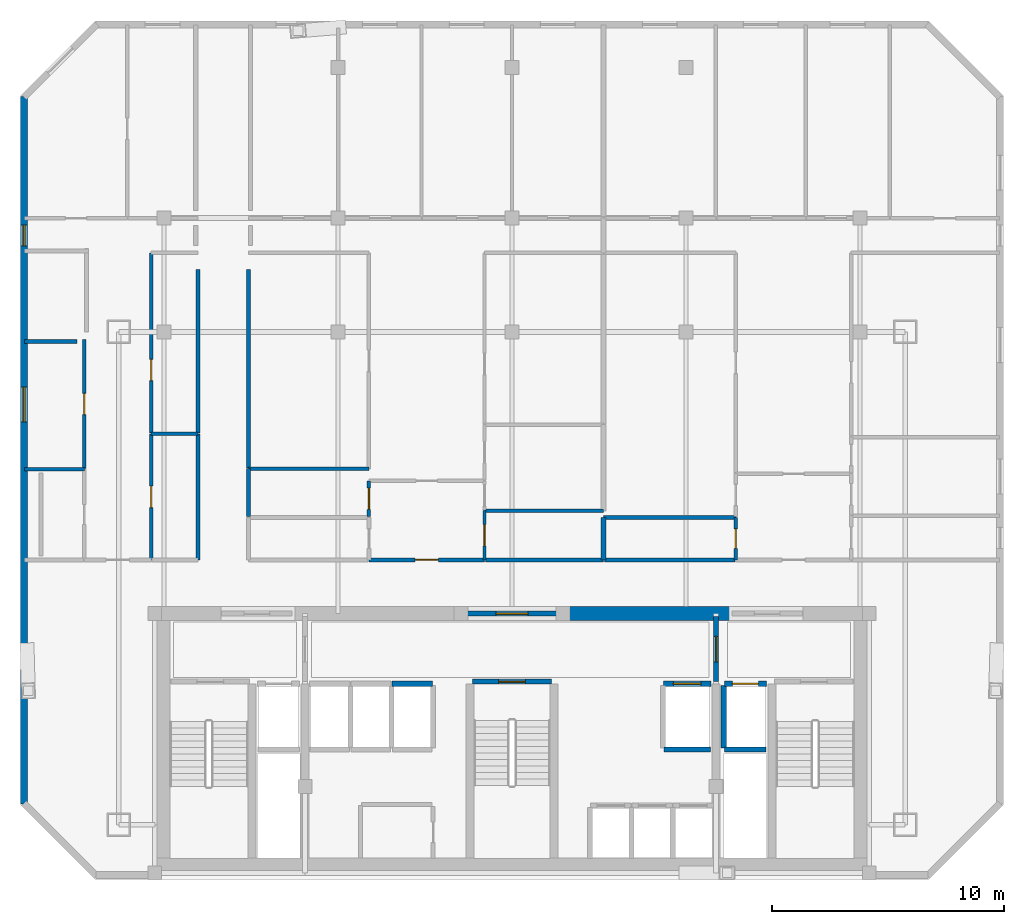
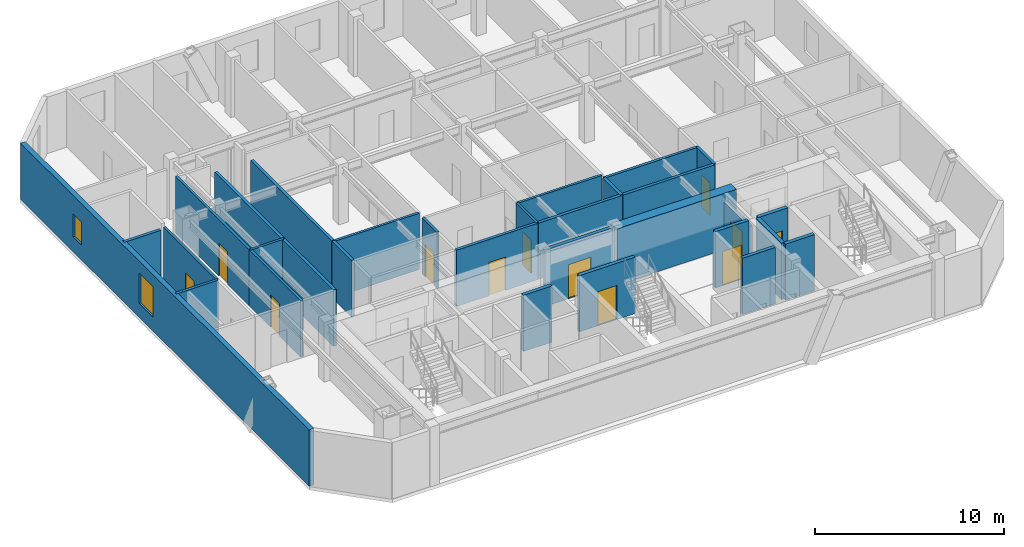
# One storey, part 3 of 7: 31 walls, 12 doors, 2 windows, 14 openings.
"""IFC4 building model written with IfcOpenShell, lengths in metres."""

from ifc_helpers import new_model, si_unit, direction, frame, frame_2d, origin, place, context, subcontext, project, spatial, rectangle, extrude, material, layer, layer_set, type_object, element, fill, save


model = new_model("IFC4")

# Units and contexts
model_context = context("Model", 3, precision=1e-05, world=origin(), true_north=direction((0.0, 1.0)))
body_context = subcontext(model_context, "Body", "Model", "MODEL_VIEW")
ifc_project = project(units=[si_unit("LENGTHUNIT", "METRE"), si_unit("AREAUNIT", "SQUARE_METRE"), si_unit("VOLUMEUNIT", "CUBIC_METRE"), si_unit("PLANEANGLEUNIT", "RADIAN"), si_unit("MASSUNIT", "GRAM", prefix="KILO")], contexts=[model_context])

# Site, building, storey
site_placement = place(None, origin())
site = spatial("IfcSite", under=ifc_project, at=site_placement, CompositionType="ELEMENT")
building_placement = place(site_placement, origin())
building = spatial("IfcBuilding", under=site, at=building_placement, Name="Ventersveld Concourse Tower", CompositionType="ELEMENT")
storey_placement = place(building_placement, frame((0.0, 0.0, 234.949951171875)))
storey = spatial("IfcBuildingStorey", under=building, at=storey_placement, Name="L58", CompositionType="ELEMENT", Elevation=234.949951171875)

# Walls
ifc_material_1 = material(Name="Concrete C50/60", Category="concrete")
ifc_layer_1 = layer(ifc_material_1, 0.60009765625)
ifc_layer_set_1 = layer_set([ifc_layer_1], Name="Concrete C50/60")
wall_type_1 = type_object("IfcWallType", Name="WL-CORE-600", PredefinedType="SHEAR", material=ifc_layer_set_1)
wall_1_placement = place(storey_placement, frame((30.89990234375, 11.449951171875, 0.0), z_axis=(0.0, 0.0, 1.0), x_axis=(1.0, 0.0, 0.0)))
element("IfcWall", 1, at=wall_1_placement, inside=storey, type_object=wall_type_1, Name="L58 Rear Core North Shear Wall NMR", PredefinedType="SHEAR", context=body_context, shape_type="SweptSolid", body=[
    extrude(rectangle(XDim=7.300048828125, YDim=0.60009765625, at=frame_2d((3.64990234375, 0.0))), origin(), (0.0, 0.0, 1.0), 3.630126953125),
])
ifc_material_2 = material(Name="Fire-rated autoclaved aerated masonry blockwork", Category="masonry")
ifc_layer_2 = layer(ifc_material_2, 0.179931640625)
ifc_layer_set_2 = layer_set([ifc_layer_2], Name="Fire-rated autoclaved aerated masonry blockwork")
wall_type_2 = type_object("IfcWallType", Name="WL-CORR-180", PredefinedType="PARTITIONING", material=ifc_layer_set_2)
wall_2_placement = place(storey_placement, frame((15.2099609375, 13.764892578125, 0.0), z_axis=(0.0, 0.0, 1.0), x_axis=(0.0, 1.0, 0.0)))
element("IfcWall", 2, at=wall_2_placement, inside=storey, type_object=wall_type_2, Name="L58 Interior Partition SP-L58-COR-SP-L58-58NW-KIT", PredefinedType="PARTITIONING", context=body_context, shape_type="SweptSolid", body=[
    extrude(rectangle(XDim=5.44091796875, YDim=0.179931640625, at=frame_2d((2.720458984375, 0.0))), origin(), (0.0, 0.0, 1.0), 3.630126953125),
])
wall_3_placement = place(storey_placement, frame((15.2099609375, 19.23583984375, 0.0), z_axis=(0.0, 0.0, 1.0), x_axis=(0.0, 1.0, 0.0)))
element("IfcWall", 3, at=wall_3_placement, inside=storey, type_object=wall_type_2, Name="L58 Interior Partition SP-L58-COR-SP-L58-58NW-MEDR1", PredefinedType="PARTITIONING", context=body_context, shape_type="SweptSolid", body=[
    extrude(rectangle(XDim=7.05908203125, YDim=0.179931640625, at=frame_2d((3.529541015625, 0.0))), origin(), (0.0, 0.0, 1.0), 3.630126953125),
])

# Wall, opening, door
wall_4_placement = place(storey_placement, frame((22.5791015625, 13.77001953125, 0.0), z_axis=(0.0, 0.0, 1.0), x_axis=(1.0, 0.0, 0.0)))
wall_4 = element("IfcWall", 4, at=wall_4_placement, inside=storey, type_object=wall_type_2, Name="L58 Interior Partition SP-L58-COR-SP-L58-58N1-FOY", PredefinedType="PARTITIONING", context=body_context, shape_type="SweptSolid", body=[
    extrude(rectangle(XDim=4.989990234375, YDim=0.179931640625, at=frame_2d((2.4951171875, 0.0))), origin(), (0.0, 0.0, 1.0), 3.630126953125),
])
opening_1_placement = place(wall_4_placement, frame((1.9951171875, 0.0, 0.0)))
opening_1 = element("IfcOpeningElement", 5, at=opening_1_placement, cuts=wall_4, Name="Opening FD3", PredefinedType="OPENING", context=body_context, shape_type="SweptSolid", body=[
    extrude(rectangle(XDim=1.0, YDim=2.14990234375, at=frame_2d((0.5, 1.074951171875))), frame((0.0, 0.10009765625, 0.0), z_axis=(0.0, -1.0, 0.0), x_axis=(1.0, 0.0, 0.0)), (0.0, 0.0, 1.0), 0.199951171875),
])
ifc_material_3 = material(Name="Solid-core hardwood veneer timber", Category="wood")
door_type_1 = type_object("IfcDoorType", Name="DR-FLAT-100", OperationType="NOTDEFINED", PredefinedType="DOOR", material=ifc_material_3)
door_1_placement = place(opening_1_placement, origin())
door_1 = element("IfcDoor", 6, at=door_1_placement, inside=storey, type_object=door_type_1, Name="L58 Interior Door SP-L58-COR to SP-L58-58N1-FOY (FD-L58-2786)", OperationType="SINGLE_SWING_RIGHT", OverallHeight=2.14990234375, OverallWidth=1.0, PredefinedType="DOOR", context=body_context, shape_type="SweptSolid", body=[
    extrude(rectangle(XDim=1.0, YDim=2.14990234375, at=frame_2d((0.5, 1.074951171875))), frame((0.0, 0.02490234375, 0.0), z_axis=(0.0, -1.0, 0.0), x_axis=(1.0, 0.0, 0.0)), (0.0, 0.0, 1.0), 0.050048828125),
])
fill(opening_1, door_1)

# Walls
wall_5_placement = place(storey_placement, frame((17.389892578125, 15.635009765625, 0.0), z_axis=(0.0, 0.0, 1.0), x_axis=(0.0, 1.0, 0.0)))
element("IfcWall", 7, at=wall_5_placement, inside=storey, type_object=wall_type_2, Name="L58 Interior Partition SP-L58-COR-SP-L58-58N1-PANL0", PredefinedType="PARTITIONING", context=body_context, shape_type="SweptSolid", body=[
    extrude(rectangle(XDim=2.064697265625, YDim=0.179931640625, at=frame_2d((1.0322265625, 0.0))), origin(), (0.0, 0.0, 1.0), 3.630126953125),
])
wall_6_placement = place(storey_placement, frame((17.389892578125, 17.7294921875, 0.0), z_axis=(0.0, 0.0, 1.0), x_axis=(0.0, 1.0, 0.0)))
element("IfcWall", 8, at=wall_6_placement, inside=storey, type_object=wall_type_2, Name="L58 Interior Partition SP-L58-COR-SP-L58-58N1-DENL", PredefinedType="PARTITIONING", context=body_context, shape_type="SweptSolid", body=[
    extrude(rectangle(XDim=8.5654296875, YDim=0.179931640625, at=frame_2d((4.28271484375, 0.0))), origin(), (0.0, 0.0, 1.0), 3.630126953125),
])
wall_7_placement = place(storey_placement, frame((27.59912109375, 13.77001953125, 0.0), z_axis=(0.0, 0.0, 1.0), x_axis=(1.0, 0.0, 0.0)))
element("IfcWall", 9, at=wall_7_placement, inside=storey, type_object=wall_type_2, Name="L58 Interior Partition SP-L58-COR-SP-L58-58N1-KIT", PredefinedType="PARTITIONING", context=body_context, shape_type="SweptSolid", body=[
    extrude(rectangle(XDim=5.10107421875, YDim=0.179931640625, at=frame_2d((2.550537109375, 0.0))), origin(), (0.0, 0.0, 1.0), 3.630126953125),
])
wall_8_placement = place(storey_placement, frame((32.730224609375, 13.77001953125, 0.0), z_axis=(0.0, 0.0, 1.0), x_axis=(1.0, 0.0, 0.0)))
element("IfcWall", 10, at=wall_8_placement, inside=storey, type_object=wall_type_2, Name="L58 Interior Partition SP-L58-COR-SP-L58-58N2-BATH", PredefinedType="PARTITIONING", context=body_context, shape_type="SweptSolid", body=[
    extrude(rectangle(XDim=5.6279296875, YDim=0.179931640625, at=frame_2d((2.81396484375, 0.0))), origin(), (0.0, 0.0, 1.0), 3.630126953125),
])
wall_9_placement = place(storey_placement, frame((7.74365234375, 23.177490234375, 0.0), z_axis=(0.0, 0.0, 1.0), x_axis=(1.0, 0.0, 0.0)))
element("IfcWall", 11, at=wall_9_placement, inside=storey, type_object=wall_type_2, Name="L58 Room Enclosure Wall SP-L58-58NW-PANL0", PredefinedType="PARTITIONING", context=body_context, shape_type="SweptSolid", body=[
    extrude(rectangle(XDim=2.245361328125, YDim=0.179931640625, at=frame_2d((1.12255859375, 0.0))), origin(), (0.0, 0.0, 1.0), 3.630126953125),
])
ifc_layer_3 = layer(ifc_material_2, 0.199951171875)
ifc_layer_set_3 = layer_set([ifc_layer_3], Name="Fire-rated autoclaved aerated masonry blockwork")
wall_type_3 = type_object("IfcWallType", Name="WL-DEMISE-200", PredefinedType="PARTITIONING", material=ifc_layer_set_3)
wall_10_placement = place(storey_placement, frame((32.6953125, 13.764892578125, 0.0), z_axis=(0.0, 0.0, 1.0), x_axis=(0.0, 1.0, 0.0)))
element("IfcWall", 12, at=wall_10_placement, inside=storey, type_object=wall_type_3, Name="L58 Interior Partition SP-L58-58N1-KIT-SP-L58-58N2-BATH", PredefinedType="PARTITIONING", context=body_context, shape_type="SweptSolid", body=[
    extrude(rectangle(XDim=1.840087890625, YDim=0.199951171875, at=frame_2d((0.919921875, 0.0))), origin(), (0.0, 0.0, 1.0), 3.630126953125),
])
ifc_layer_4 = layer(ifc_material_2, 0.219970703125)
ifc_layer_set_4 = layer_set([ifc_layer_4], Name="Fire-rated autoclaved aerated masonry blockwork")
wall_type_4 = type_object("IfcWallType", Name="WL-HOIST-220", PredefinedType="SOLIDWALL", material=ifc_layer_set_4)
wall_11_placement = place(storey_placement, frame((37.919921875, 5.590087890625, 0.0), z_axis=(0.0, 0.0, 1.0), x_axis=(1.0, 0.0, 0.0)))
element("IfcWall", 13, at=wall_11_placement, inside=storey, type_object=wall_type_4, Name="L58 Lift Hoistway Back Wall FFL-02", PredefinedType="SOLIDWALL", context=body_context, shape_type="SweptSolid", body=[
    extrude(rectangle(XDim=1.780029296875, YDim=0.219970703125, at=frame_2d((0.89013671875, 0.0))), origin(), (0.0, 0.0, 1.0), 3.630126953125),
])
wall_12_placement = place(storey_placement, frame((37.8798828125, 5.64990234375, 0.0), z_axis=(0.0, 0.0, 1.0), x_axis=(0.0, 1.0, 0.0)))
element("IfcWall", 14, at=wall_12_placement, inside=storey, type_object=wall_type_4, Name="L58 Lift Hoistway Side Wall FFL-02W", PredefinedType="SOLIDWALL", context=body_context, shape_type="SweptSolid", body=[
    extrude(rectangle(XDim=2.7001953125, YDim=0.219970703125, at=frame_2d((1.35009765625, 0.0))), origin(), (0.0, 0.0, 1.0), 3.630126953125),
])

# Wall, opening, door
wall_13_placement = place(storey_placement, frame((37.89990234375, 8.429931640625, 0.0), z_axis=(0.0, 0.0, 1.0), x_axis=(1.0, 0.0, 0.0)))
wall_13 = element("IfcWall", 15, at=wall_13_placement, inside=storey, type_object=wall_type_4, Name="L58 Lift Hoistway Front Wall FFL-02", PredefinedType="SOLIDWALL", context=body_context, shape_type="SweptSolid", body=[
    extrude(rectangle(XDim=1.820068359375, YDim=0.219970703125, at=frame_2d((0.91015625, 0.0))), origin(), (0.0, 0.0, 1.0), 3.630126953125),
])
opening_2_placement = place(wall_13_placement, frame((0.35009765625, 0.0, 0.0)))
opening_2 = element("IfcOpeningElement", 16, at=opening_2_placement, cuts=wall_13, Name="Opening LD1", PredefinedType="OPENING", context=body_context, shape_type="SweptSolid", body=[
    extrude(rectangle(XDim=1.1201171875, YDim=2.25, at=frame_2d((0.56005859375, 1.125))), frame((0.0, 0.1201171875, 0.0), z_axis=(0.0, -1.0, 0.0), x_axis=(1.0, 0.0, 0.0)), (0.0, 0.0, 1.0), 0.239990234375),
])
ifc_material_4 = material(Name="Brushed stainless steel 316", Category="steel")
door_type_2 = type_object("IfcDoorType", Name="LD-FF-112", OperationType="SLIDING_TO_LEFT", PredefinedType="DOOR", material=ifc_material_4)
door_2_placement = place(opening_2_placement, origin())
door_2 = element("IfcDoor", 17, at=door_2_placement, inside=storey, type_object=door_type_2, Name="L58 Lift landing door FFL-02 (LD-L58-FFL-02)", OperationType="SLIDING_TO_RIGHT", OverallHeight=2.25, OverallWidth=1.1201171875, PredefinedType="DOOR", context=body_context, shape_type="SweptSolid", body=[
    extrude(rectangle(XDim=1.1201171875, YDim=2.25, at=frame_2d((0.56005859375, 1.125))), frame((0.0, 0.02490234375, 0.0), z_axis=(0.0, -1.0, 0.0), x_axis=(1.0, 0.0, 0.0)), (0.0, 0.0, 1.0), 0.050048828125),
])
fill(opening_2, door_2)

# Wall
wall_14_placement = place(storey_placement, frame((35.300048828125, 5.590087890625, 0.0), z_axis=(0.0, 0.0, 1.0), x_axis=(1.0, 0.0, 0.0)))
element("IfcWall", 18, at=wall_14_placement, inside=storey, type_object=wall_type_4, Name="L58 Lift Hoistway Back Wall SVL-01", PredefinedType="SOLIDWALL", context=body_context, shape_type="SweptSolid", body=[
    extrude(rectangle(XDim=2.0, YDim=0.219970703125, at=frame_2d((1.0, 0.0))), origin(), (0.0, 0.0, 1.0), 3.630126953125),
])

# Wall, opening, door
wall_15_placement = place(storey_placement, frame((35.280029296875, 8.429931640625, 0.0), z_axis=(0.0, 0.0, 1.0), x_axis=(1.0, 0.0, 0.0)))
wall_15 = element("IfcWall", 19, at=wall_15_placement, inside=storey, type_object=wall_type_4, Name="L58 Lift Hoistway Front Wall SVL-01", PredefinedType="SOLIDWALL", context=body_context, shape_type="SweptSolid", body=[
    extrude(rectangle(XDim=2.0400390625, YDim=0.219970703125, at=frame_2d((1.02001953125, 0.0))), origin(), (0.0, 0.0, 1.0), 3.630126953125),
])
opening_3_placement = place(wall_15_placement, frame((0.429931640625, 0.0, 0.0)))
opening_3 = element("IfcOpeningElement", 20, at=opening_3_placement, cuts=wall_15, Name="Opening LD2", PredefinedType="OPENING", context=body_context, shape_type="SweptSolid", body=[
    extrude(rectangle(XDim=1.179931640625, YDim=2.199951171875, at=frame_2d((0.58984375, 1.10009765625))), frame((0.0, 0.1201171875, 0.0), z_axis=(0.0, -1.0, 0.0), x_axis=(1.0, 0.0, 0.0)), (0.0, 0.0, 1.0), 0.239990234375),
])
door_type_3 = type_object("IfcDoorType", Name="LD-PAX-118", OperationType="SLIDING_TO_LEFT", PredefinedType="DOOR", material=ifc_material_4)
door_3_placement = place(opening_3_placement, origin())
door_3 = element("IfcDoor", 21, at=door_3_placement, inside=storey, type_object=door_type_3, Name="L58 Lift landing door SVL-01 (LD-L58-SVL-01)", OperationType="SLIDING_TO_LEFT", OverallHeight=2.199951171875, OverallWidth=1.179931640625, PredefinedType="DOOR", context=body_context, shape_type="SweptSolid", body=[
    extrude(rectangle(XDim=1.179931640625, YDim=2.199951171875, at=frame_2d((0.58984375, 1.10009765625))), frame((0.0, 0.02490234375, 0.0), z_axis=(0.0, -1.0, 0.0), x_axis=(1.0, 0.0, 0.0)), (0.0, 0.0, 1.0), 0.050048828125),
])
fill(opening_3, door_3)

# Wall
wall_16_placement = place(storey_placement, frame((23.580078125, 8.429931640625, 0.0), z_axis=(0.0, 0.0, 1.0), x_axis=(1.0, 0.0, 0.0)))
element("IfcWall", 22, at=wall_16_placement, inside=storey, type_object=wall_type_4, Name="L58 Lift Hoistway Front Wall PH-03", PredefinedType="SOLIDWALL", context=body_context, shape_type="SweptSolid", body=[
    extrude(rectangle(XDim=1.739990234375, YDim=0.219970703125, at=frame_2d((0.8701171875, 0.0))), origin(), (0.0, 0.0, 1.0), 3.630126953125),
])

# Wall, opening, door
wall_17_placement = place(storey_placement, frame((27.0400390625, 8.52001953125, 0.0), z_axis=(0.0, 0.0, 1.0), x_axis=(1.0, 0.0, 0.0)))
wall_17 = element("IfcWall", 23, at=wall_17_placement, inside=storey, type_object=wall_type_4, Name="L58 Escape Stair ST03 Fire Wall", PredefinedType="SOLIDWALL", context=body_context, shape_type="SweptSolid", body=[
    extrude(rectangle(XDim=3.419921875, YDim=0.219970703125, at=frame_2d((1.7099609375, 0.0))), origin(), (0.0, 0.0, 1.0), 3.630126953125),
])
opening_4_placement = place(wall_17_placement, frame((1.135009765625, 0.0, 0.0)))
opening_4 = element("IfcOpeningElement", 24, at=opening_4_placement, cuts=wall_17, Name="Opening FD1", PredefinedType="OPENING", context=body_context, shape_type="SweptSolid", body=[
    extrude(rectangle(XDim=1.14990234375, YDim=2.199951171875, at=frame_2d((0.574951171875, 1.10009765625))), frame((0.0, 0.1201171875, 0.0), z_axis=(0.0, -1.0, 0.0), x_axis=(1.0, 0.0, 0.0)), (0.0, 0.0, 1.0), 0.239990234375),
])
ifc_material_5 = material(Name="Galvanised painted steel", Category="steel")
door_type_4 = type_object("IfcDoorType", Name="DR-STAIR-115", OperationType="NOTDEFINED", PredefinedType="DOOR", material=ifc_material_5)
door_4_placement = place(opening_4_placement, origin())
door_4 = element("IfcDoor", 25, at=door_4_placement, inside=storey, type_object=door_type_4, Name="L58 Escape Stair Door ST03 (SD-L58-2778)", OperationType="SINGLE_SWING_LEFT", OverallHeight=2.199951171875, OverallWidth=1.14990234375, PredefinedType="DOOR", context=body_context, shape_type="SweptSolid", body=[
    extrude(rectangle(XDim=1.14990234375, YDim=2.199951171875, at=frame_2d((0.574951171875, 1.10009765625))), frame((0.0, 0.02490234375, 0.0), z_axis=(0.0, -1.0, 0.0), x_axis=(1.0, 0.0, 0.0)), (0.0, 0.0, 1.0), 0.050048828125),
])
fill(opening_4, door_4)

wall_18_placement = place(storey_placement, frame((37.550048828125, 8.52001953125, 0.0), z_axis=(0.0, 0.0, 1.0), x_axis=(0.0, 1.0, 0.0)))
wall_18 = element("IfcWall", 26, at=wall_18_placement, inside=storey, type_object=wall_type_4, Name="L58 Firefighting Lobby Smoke-Stop Wall FFLE-SEP", PredefinedType="SOLIDWALL", context=body_context, shape_type="SweptSolid", body=[
    extrude(rectangle(XDim=2.800048828125, YDim=0.219970703125, at=frame_2d((1.39990234375, 0.0))), origin(), (0.0, 0.0, 1.0), 3.08544921875),
])
opening_5_placement = place(wall_18_placement, frame((0.85009765625, 0.0, 0.0)))
opening_5 = element("IfcOpeningElement", 27, at=opening_5_placement, cuts=wall_18, Name="Opening FD2", PredefinedType="OPENING", context=body_context, shape_type="SweptSolid", body=[
    extrude(rectangle(XDim=1.10009765625, YDim=2.199951171875, at=frame_2d((0.550048828125, 1.10009765625))), frame((0.0, 0.1201171875, 0.0), z_axis=(0.0, -1.0, 0.0), x_axis=(1.0, 0.0, 0.0)), (0.0, 0.0, 1.0), 0.239990234375),
])
door_type_5 = type_object("IfcDoorType", Name="DR-FFL-110", OperationType="NOTDEFINED", PredefinedType="DOOR", material=ifc_material_5)
door_5_placement = place(opening_5_placement, origin())
door_5 = element("IfcDoor", 28, at=door_5_placement, inside=storey, type_object=door_type_5, Name="L58 Firefighting Lobby Door FFLE-SEP (FD-L58-2780)", OperationType="SINGLE_SWING_RIGHT", OverallHeight=2.199951171875, OverallWidth=1.10009765625, PredefinedType="DOOR", context=body_context, shape_type="SweptSolid", body=[
    extrude(rectangle(XDim=1.10009765625, YDim=2.199951171875, at=frame_2d((0.550048828125, 1.10009765625))), frame((0.0, 0.02490234375, 0.0), z_axis=(0.0, -1.0, 0.0), x_axis=(1.0, 0.0, 0.0)), (0.0, 0.0, 1.0), 0.050048828125),
])
fill(opening_5, door_5)

wall_19_placement = place(storey_placement, frame((26.6298828125, 11.449951171875, 0.0), z_axis=(0.0, 0.0, 1.0), x_axis=(1.0, 0.0, 0.0)))
wall_19 = element("IfcWall", 29, at=wall_19_placement, inside=storey, type_object=wall_type_4, Name="L58 Core North Fire Portal PLOB-OUT", PredefinedType="SOLIDWALL", context=body_context, shape_type="SweptSolid", body=[
    extrude(rectangle(XDim=4.240234375, YDim=0.219970703125, at=frame_2d((2.1201171875, 0.0))), origin(), (0.0, 0.0, 1.0), 3.630126953125),
])
opening_6_placement = place(wall_19_placement, frame((1.419921875, 0.0, 0.0)))
opening_6 = element("IfcOpeningElement", 30, at=opening_6_placement, cuts=wall_19, Name="Opening FD4", PredefinedType="OPENING", context=body_context, shape_type="SweptSolid", body=[
    extrude(rectangle(XDim=1.39990234375, YDim=2.199951171875, at=frame_2d((0.699951171875, 1.10009765625))), frame((0.0, 0.1201171875, 0.0), z_axis=(0.0, -1.0, 0.0), x_axis=(1.0, 0.0, 0.0)), (0.0, 0.0, 1.0), 0.239990234375),
])
door_type_6 = type_object("IfcDoorType", Name="DR-PLANT-140", OperationType="DOUBLE_DOOR_SINGLE_SWING", PredefinedType="DOOR", material=ifc_material_5)
door_6_placement = place(opening_6_placement, origin())
door_6 = element("IfcDoor", 31, at=door_6_placement, inside=storey, type_object=door_type_6, Name="L58 Core Lobby Fire Door PLOB-OUT (FD-L58-2782)", OperationType="DOUBLE_DOOR_SINGLE_SWING", OverallHeight=2.199951171875, OverallWidth=1.39990234375, PredefinedType="DOOR", context=body_context, shape_type="SweptSolid", body=[
    extrude(rectangle(XDim=1.39990234375, YDim=2.199951171875, at=frame_2d((0.699951171875, 1.10009765625))), frame((0.0, 0.02490234375, 0.0), z_axis=(0.0, -1.0, 0.0), x_axis=(1.0, 0.0, 0.0)), (0.0, 0.0, 1.0), 0.050048828125),
])
fill(opening_6, door_6)

ifc_material_6 = material(Name="Autoclaved aerated masonry blockwork", Category="masonry")
ifc_layer_5 = layer(ifc_material_6, 0.14990234375)
ifc_layer_set_5 = layer_set([ifc_layer_5], Name="Autoclaved aerated masonry blockwork")
wall_type_5 = type_object("IfcWallType", Name="WL-INT-150", PredefinedType="PARTITIONING", material=ifc_layer_set_5)
wall_20_placement = place(storey_placement, frame((10.31396484375, 17.707763671875, 0.0), z_axis=(0.0, 0.0, 1.0), x_axis=(0.0, 1.0, 0.0)))
wall_20 = element("IfcWall", 32, at=wall_20_placement, inside=storey, type_object=wall_type_5, Name="L58 Interior Partition SP-L58-58NW-LIV-SP-L58-58NW-PANL0", PredefinedType="PARTITIONING", context=body_context, shape_type="SweptSolid", body=[
    extrude(rectangle(XDim=5.56494140625, YDim=0.14990234375, at=frame_2d((2.782470703125, 0.0))), origin(), (0.0, 0.0, 1.0), 3.630126953125),
])
opening_7_placement = place(wall_20_placement, frame((2.322509765625, 0.0, 0.0)))
opening_7 = element("IfcOpeningElement", 33, at=opening_7_placement, cuts=wall_20, Name="Opening ID1", PredefinedType="OPENING", context=body_context, shape_type="SweptSolid", body=[
    extrude(rectangle(XDim=0.919921875, YDim=2.10009765625, at=frame_2d((0.4599609375, 1.050048828125))), frame((0.0, 0.0849609375, 0.0), z_axis=(0.0, -1.0, 0.0), x_axis=(1.0, 0.0, 0.0)), (0.0, 0.0, 1.0), 0.169921875),
])
door_type_7 = type_object("IfcDoorType", Name="DR-ROOM-092", OperationType="NOTDEFINED", PredefinedType="DOOR", material=ifc_material_3)
door_7_placement = place(opening_7_placement, origin())
door_7 = element("IfcDoor", 34, at=door_7_placement, inside=storey, type_object=door_type_7, Name="L58 Interior Door SP-L58-58NW-LIV to SP-L58-58NW-PANL0 (D-L58-2789)", OperationType="SINGLE_SWING_LEFT", OverallHeight=2.10009765625, OverallWidth=0.919921875, PredefinedType="DOOR", context=body_context, shape_type="SweptSolid", body=[
    extrude(rectangle(XDim=0.919921875, YDim=2.10009765625, at=frame_2d((0.4599609375, 1.050048828125))), frame((0.0, 0.02490234375, 0.0), z_axis=(0.0, -1.0, 0.0), x_axis=(1.0, 0.0, 0.0)), (0.0, 0.0, 1.0), 0.050048828125),
])
fill(opening_7, door_7)

wall_21_placement = place(storey_placement, frame((13.20166015625, 13.764892578125, 0.0), z_axis=(0.0, 0.0, 1.0), x_axis=(0.0, 1.0, 0.0)))
wall_21 = element("IfcWall", 35, at=wall_21_placement, inside=storey, type_object=wall_type_5, Name="L58 Interior Partition SP-L58-58NW-LIV-SP-L58-58NW-KIT", PredefinedType="PARTITIONING", context=body_context, shape_type="SweptSolid", body=[
    extrude(rectangle(XDim=5.44091796875, YDim=0.14990234375, at=frame_2d((2.720458984375, 0.0))), origin(), (0.0, 0.0, 1.0), 3.630126953125),
])
opening_8_placement = place(wall_21_placement, frame((2.260498046875, 0.0, 0.0)))
opening_8 = element("IfcOpeningElement", 36, at=opening_8_placement, cuts=wall_21, Name="Opening ID1", PredefinedType="OPENING", context=body_context, shape_type="SweptSolid", body=[
    extrude(rectangle(XDim=0.919921875, YDim=2.10009765625, at=frame_2d((0.4599609375, 1.050048828125))), frame((0.0, 0.0849609375, 0.0), z_axis=(0.0, -1.0, 0.0), x_axis=(1.0, 0.0, 0.0)), (0.0, 0.0, 1.0), 0.169921875),
])
door_8_placement = place(opening_8_placement, origin())
door_8 = element("IfcDoor", 37, at=door_8_placement, inside=storey, type_object=door_type_7, Name="L58 Interior Door SP-L58-58NW-LIV to SP-L58-58NW-KIT (D-L58-2790)", OperationType="SINGLE_SWING_RIGHT", OverallHeight=2.10009765625, OverallWidth=0.919921875, PredefinedType="DOOR", context=body_context, shape_type="SweptSolid", body=[
    extrude(rectangle(XDim=0.919921875, YDim=2.10009765625, at=frame_2d((0.4599609375, 1.050048828125))), frame((0.0, 0.02490234375, 0.0), z_axis=(0.0, -1.0, 0.0), x_axis=(1.0, 0.0, 0.0)), (0.0, 0.0, 1.0), 0.050048828125),
])
fill(opening_8, door_8)

wall_22_placement = place(storey_placement, frame((13.20166015625, 19.23583984375, 0.0), z_axis=(0.0, 0.0, 1.0), x_axis=(0.0, 1.0, 0.0)))
wall_22 = element("IfcWall", 38, at=wall_22_placement, inside=storey, type_object=wall_type_5, Name="L58 Interior Partition SP-L58-58NW-LIV-SP-L58-58NW-MEDR1", PredefinedType="PARTITIONING", context=body_context, shape_type="SweptSolid", body=[
    extrude(rectangle(XDim=7.76904296875, YDim=0.14990234375, at=frame_2d((3.884521484375, 0.0))), origin(), (0.0, 0.0, 1.0), 3.630126953125),
])
opening_9_placement = place(wall_22_placement, frame((2.25927734375, 0.0, 0.0)))
opening_9 = element("IfcOpeningElement", 39, at=opening_9_placement, cuts=wall_22, Name="Opening ID1", PredefinedType="OPENING", context=body_context, shape_type="SweptSolid", body=[
    extrude(rectangle(XDim=0.919921875, YDim=2.10009765625, at=frame_2d((0.4599609375, 1.050048828125))), frame((0.0, 0.0849609375, 0.0), z_axis=(0.0, -1.0, 0.0), x_axis=(1.0, 0.0, 0.0)), (0.0, 0.0, 1.0), 0.169921875),
])
door_9_placement = place(opening_9_placement, origin())
door_9 = element("IfcDoor", 40, at=door_9_placement, inside=storey, type_object=door_type_7, Name="L58 Interior Door SP-L58-58NW-LIV to SP-L58-58NW-MEDR1 (D-L58-2791)", OperationType="SINGLE_SWING_LEFT", OverallHeight=2.10009765625, OverallWidth=0.919921875, PredefinedType="DOOR", context=body_context, shape_type="SweptSolid", body=[
    extrude(rectangle(XDim=0.919921875, YDim=2.10009765625, at=frame_2d((0.4599609375, 1.050048828125))), frame((0.0, 0.02490234375, 0.0), z_axis=(0.0, -1.0, 0.0), x_axis=(1.0, 0.0, 0.0)), (0.0, 0.0, 1.0), 0.050048828125),
])
fill(opening_9, door_9)

# Wall
wall_23_placement = place(storey_placement, frame((13.19677734375, 19.20068359375, 0.0), z_axis=(0.0, 0.0, 1.0), x_axis=(1.0, 0.0, 0.0)))
element("IfcWall", 41, at=wall_23_placement, inside=storey, type_object=wall_type_5, Name="L58 Interior Partition SP-L58-58NW-KIT-SP-L58-58NW-MEDR1", PredefinedType="PARTITIONING", context=body_context, shape_type="SweptSolid", body=[
    extrude(rectangle(XDim=2.018310546875, YDim=0.14990234375, at=frame_2d((1.00927734375, 0.0))), origin(), (0.0, 0.0, 1.0), 3.630126953125),
])

# Wall, opening, door
wall_24_placement = place(storey_placement, frame((22.583984375, 15.635009765625, 0.0), z_axis=(0.0, 0.0, 1.0), x_axis=(0.0, 1.0, 0.0)))
wall_24 = element("IfcWall", 42, at=wall_24_placement, inside=storey, type_object=wall_type_5, Name="L58 Interior Partition SP-L58-58N1-FOY-SP-L58-58N1-PANL0", PredefinedType="PARTITIONING", context=body_context, shape_type="SweptSolid", body=[
    extrude(rectangle(XDim=1.542724609375, YDim=0.14990234375, at=frame_2d((0.771484375, 0.0))), origin(), (0.0, 0.0, 1.0), 3.630126953125),
])
opening_10_placement = place(wall_24_placement, frame((0.311279296875, 0.0, 0.0)))
opening_10 = element("IfcOpeningElement", 43, at=opening_10_placement, cuts=wall_24, Name="Opening ID1", PredefinedType="OPENING", context=body_context, shape_type="SweptSolid", body=[
    extrude(rectangle(XDim=0.919921875, YDim=2.10009765625, at=frame_2d((0.4599609375, 1.050048828125))), frame((0.0, 0.0849609375, 0.0), z_axis=(0.0, -1.0, 0.0), x_axis=(1.0, 0.0, 0.0)), (0.0, 0.0, 1.0), 0.169921875),
])
door_10_placement = place(opening_10_placement, origin())
door_10 = element("IfcDoor", 44, at=door_10_placement, inside=storey, type_object=door_type_7, Name="L58 Interior Door SP-L58-58N1-FOY to SP-L58-58N1-PANL0 (D-L58-2796)", OperationType="SINGLE_SWING_RIGHT", OverallHeight=2.10009765625, OverallWidth=0.919921875, PredefinedType="DOOR", context=body_context, shape_type="SweptSolid", body=[
    extrude(rectangle(XDim=0.919921875, YDim=2.10009765625, at=frame_2d((0.4599609375, 1.050048828125))), frame((0.0, 0.02490234375, 0.0), z_axis=(0.0, -1.0, 0.0), x_axis=(1.0, 0.0, 0.0)), (0.0, 0.0, 1.0), 0.050048828125),
])
fill(opening_10, door_10)

wall_25_placement = place(storey_placement, frame((27.564208984375, 13.764892578125, 0.0), z_axis=(0.0, 0.0, 1.0), x_axis=(0.0, 1.0, 0.0)))
wall_25 = element("IfcWall", 45, at=wall_25_placement, inside=storey, type_object=wall_type_5, Name="L58 Interior Partition SP-L58-58N1-FOY-SP-L58-58N1-KIT", PredefinedType="PARTITIONING", context=body_context, shape_type="SweptSolid", body=[
    extrude(rectangle(XDim=2.129150390625, YDim=0.14990234375, at=frame_2d((1.064453125, 0.0))), origin(), (0.0, 0.0, 1.0), 3.630126953125),
])
opening_11_placement = place(wall_25_placement, frame((0.6044921875, 0.0, 0.0)))
opening_11 = element("IfcOpeningElement", 46, at=opening_11_placement, cuts=wall_25, Name="Opening ID1", PredefinedType="OPENING", context=body_context, shape_type="SweptSolid", body=[
    extrude(rectangle(XDim=0.919921875, YDim=2.10009765625, at=frame_2d((0.4599609375, 1.050048828125))), frame((0.0, 0.0849609375, 0.0), z_axis=(0.0, -1.0, 0.0), x_axis=(1.0, 0.0, 0.0)), (0.0, 0.0, 1.0), 0.169921875),
])
door_11_placement = place(opening_11_placement, origin())
door_11 = element("IfcDoor", 47, at=door_11_placement, inside=storey, type_object=door_type_7, Name="L58 Interior Door SP-L58-58N1-FOY to SP-L58-58N1-KIT (D-L58-2797)", OperationType="SINGLE_SWING_LEFT", OverallHeight=2.10009765625, OverallWidth=0.919921875, PredefinedType="DOOR", context=body_context, shape_type="SweptSolid", body=[
    extrude(rectangle(XDim=0.919921875, YDim=2.10009765625, at=frame_2d((0.4599609375, 1.050048828125))), frame((0.0, 0.02490234375, 0.0), z_axis=(0.0, -1.0, 0.0), x_axis=(1.0, 0.0, 0.0)), (0.0, 0.0, 1.0), 0.050048828125),
])
fill(opening_11, door_11)

# Walls
wall_26_placement = place(storey_placement, frame((17.385009765625, 17.694580078125, 0.0), z_axis=(0.0, 0.0, 1.0), x_axis=(1.0, 0.0, 0.0)))
element("IfcWall", 48, at=wall_26_placement, inside=storey, type_object=wall_type_5, Name="L58 Interior Partition SP-L58-58N1-PANL0-SP-L58-58N1-DENL", PredefinedType="PARTITIONING", context=body_context, shape_type="SweptSolid", body=[
    extrude(rectangle(XDim=5.2041015625, YDim=0.14990234375, at=frame_2d((2.60205078125, 0.0))), origin(), (0.0, 0.0, 1.0), 3.630126953125),
])
wall_27_placement = place(storey_placement, frame((27.55908203125, 15.888916015625, 0.0), z_axis=(0.0, 0.0, 1.0), x_axis=(1.0, 0.0, 0.0)))
element("IfcWall", 49, at=wall_27_placement, inside=storey, type_object=wall_type_5, Name="L58 Interior Partition SP-L58-58N1-KIT-SP-L58-58N1-SEMR1", PredefinedType="PARTITIONING", context=body_context, shape_type="SweptSolid", body=[
    extrude(rectangle(XDim=5.14111328125, YDim=0.14990234375, at=frame_2d((2.570556640625, 0.0))), origin(), (0.0, 0.0, 1.0), 3.630126953125),
])

# Wall, openings, windows
ifc_material_7 = material(Name="Precast concrete C45/55", Category="concrete")
ifc_layer_6 = layer(ifc_material_7, 0.300048828125)
ifc_layer_set_6 = layer_set([ifc_layer_6], Name="Precast concrete C45/55")
wall_type_6 = type_object("IfcWallType", Name="WL-PREC-300", PredefinedType="SOLIDWALL", material=ifc_layer_set_6)
wall_28_placement = place(storey_placement, frame((7.72119140625, 33.75439453125, 0.0), z_axis=(0.0, 0.0, 1.0), x_axis=(0.0, -1.0, 0.0)))
wall_28 = element("IfcWall", 50, at=wall_28_placement, inside=storey, type_object=wall_type_6, Name="L58 Highveld Precast Facade Wall E07", PredefinedType="SOLIDWALL", context=body_context, shape_type="SweptSolid", body=[
    extrude(rectangle(XDim=30.514404296875, YDim=0.300048828125, at=frame_2d((15.25732421875, 0.0))), origin(), (0.0, 0.0, 1.0), 3.630126953125),
])
opening_12_placement = place(wall_28_placement, frame((5.554443359375, 0.0, 0.949951171875)))
opening_12 = element("IfcOpeningElement", 51, at=opening_12_placement, cuts=wall_28, Name="Opening W4", PredefinedType="OPENING", context=body_context, shape_type="SweptSolid", body=[
    extrude(rectangle(XDim=0.89990234375, YDim=1.5, at=frame_2d((0.449951171875, 0.75))), frame((0.0, 0.16015625, 0.0), z_axis=(0.0, -1.0, 0.0), x_axis=(1.0, 0.0, 0.0)), (0.0, 0.0, 1.0), 0.320068359375),
])
opening_13_placement = place(wall_28_placement, frame((12.5341796875, 0.0, 0.89990234375)))
opening_13 = element("IfcOpeningElement", 52, at=opening_13_placement, cuts=wall_28, Name="Opening W1", PredefinedType="OPENING", context=body_context, shape_type="SweptSolid", body=[
    extrude(rectangle(XDim=1.5, YDim=1.949951171875, at=frame_2d((0.75, 0.97509765625))), frame((0.0, 0.16015625, 0.0), z_axis=(0.0, -1.0, 0.0), x_axis=(1.0, 0.0, 0.0)), (0.0, 0.0, 1.0), 0.320068359375),
])
ifc_material_8 = material(Name="Tempered acoustic Low-E IGU", Category="glass")
window_type_1 = type_object("IfcWindowType", Name="WIN-090x150", PartitioningType="SINGLE_PANEL", PredefinedType="WINDOW", material=ifc_material_8)
window_1_placement = place(opening_12_placement, origin())
window_1 = element("IfcWindow", 53, at=window_1_placement, inside=storey, type_object=window_type_1, Name="L58 Punched Low-E Window W-0827", OverallHeight=1.5, OverallWidth=0.89990234375, PartitioningType="SINGLE_PANEL", PredefinedType="WINDOW", context=body_context, shape_type="SweptSolid", body=[
    extrude(rectangle(XDim=0.89990234375, YDim=1.5, at=frame_2d((0.449951171875, 0.75))), frame((0.0, 0.030029296875, 0.0), z_axis=(0.0, -1.0, 0.0), x_axis=(1.0, 0.0, 0.0)), (0.0, 0.0, 1.0), 0.06005859375),
])
fill(opening_12, window_1)
window_type_2 = type_object("IfcWindowType", Name="WIN-150x210", PartitioningType="SINGLE_PANEL", PredefinedType="WINDOW", material=ifc_material_8)
window_2_placement = place(opening_13_placement, origin())
window_2 = element("IfcWindow", 54, at=window_2_placement, inside=storey, type_object=window_type_2, Name="L58 Punched Low-E Window W-0828", OverallHeight=1.949951171875, OverallWidth=1.5, PartitioningType="SINGLE_PANEL", PredefinedType="WINDOW", context=body_context, shape_type="SweptSolid", body=[
    extrude(rectangle(XDim=1.5, YDim=1.949951171875, at=frame_2d((0.75, 0.97509765625))), frame((0.0, 0.030029296875, 0.0), z_axis=(0.0, -1.0, 0.0), x_axis=(1.0, 0.0, 0.0)), (0.0, 0.0, 1.0), 0.06005859375),
])
fill(opening_13, window_2)

# Wall
ifc_layer_7 = layer(ifc_material_6, 0.1650390625)
ifc_layer_set_7 = layer_set([ifc_layer_7], Name="Autoclaved aerated masonry blockwork")
wall_type_7 = type_object("IfcWallType", Name="WL-WET-165", PredefinedType="PLUMBINGWALL", material=ifc_layer_set_7)
wall_29_placement = place(storey_placement, frame((7.74365234375, 17.672607421875, 0.0), z_axis=(0.0, 0.0, 1.0), x_axis=(1.0, 0.0, 0.0)))
element("IfcWall", 55, at=wall_29_placement, inside=storey, type_object=wall_type_7, Name="L58 Interior Partition SP-L58-58NW-BATH-SP-L58-58NW-PANL0", PredefinedType="PLUMBINGWALL", context=body_context, shape_type="SweptSolid", body=[
    extrude(rectangle(XDim=2.575439453125, YDim=0.1650390625, at=frame_2d((1.28759765625, 0.0))), origin(), (0.0, 0.0, 1.0), 3.630126953125),
])

# Wall, opening, door
wall_30_placement = place(storey_placement, frame((38.393310546875, 13.764892578125, 0.0), z_axis=(0.0, 0.0, 1.0), x_axis=(0.0, 1.0, 0.0)))
wall_30 = element("IfcWall", 56, at=wall_30_placement, inside=storey, type_object=wall_type_7, Name="L58 Interior Partition SP-L58-58N2-FOY-SP-L58-58N2-BATH", PredefinedType="PLUMBINGWALL", context=body_context, shape_type="SweptSolid", body=[
    extrude(rectangle(XDim=1.840087890625, YDim=0.1650390625, at=frame_2d((0.919921875, 0.0))), origin(), (0.0, 0.0, 1.0), 3.630126953125),
])
opening_14_placement = place(wall_30_placement, frame((0.4951171875, 0.0, 0.0)))
opening_14 = element("IfcOpeningElement", 57, at=opening_14_placement, cuts=wall_30, Name="Opening ID2", PredefinedType="OPENING", context=body_context, shape_type="SweptSolid", body=[
    extrude(rectangle(XDim=0.85009765625, YDim=2.10009765625, at=frame_2d((0.425048828125, 1.050048828125))), frame((0.0, 0.092529296875, 0.0), z_axis=(0.0, -1.0, 0.0), x_axis=(1.0, 0.0, 0.0)), (0.0, 0.0, 1.0), 0.18505859375),
])
door_type_8 = type_object("IfcDoorType", Name="DR-BATH-085", OperationType="NOTDEFINED", PredefinedType="DOOR", material=ifc_material_3)
door_12_placement = place(opening_14_placement, origin())
door_12 = element("IfcDoor", 58, at=door_12_placement, inside=storey, type_object=door_type_8, Name="L58 Interior Door SP-L58-58N2-FOY to SP-L58-58N2-BATH (D-L58-2807)", OperationType="SINGLE_SWING_LEFT", OverallHeight=2.10009765625, OverallWidth=0.85009765625, PredefinedType="DOOR", context=body_context, shape_type="SweptSolid", body=[
    extrude(rectangle(XDim=0.85009765625, YDim=2.10009765625, at=frame_2d((0.425048828125, 1.050048828125))), frame((0.0, 0.02490234375, 0.0), z_axis=(0.0, -1.0, 0.0), x_axis=(1.0, 0.0, 0.0)), (0.0, 0.0, 1.0), 0.050048828125),
])
fill(opening_14, door_12)

# Wall
wall_31_placement = place(storey_placement, frame((32.690185546875, 15.60009765625, 0.0), z_axis=(0.0, 0.0, 1.0), x_axis=(1.0, 0.0, 0.0)))
element("IfcWall", 59, at=wall_31_placement, inside=storey, type_object=wall_type_7, Name="L58 Interior Partition SP-L58-58N2-BATH-SP-L58-58N2-MEDL0", PredefinedType="PLUMBINGWALL", context=body_context, shape_type="SweptSolid", body=[
    extrude(rectangle(XDim=5.7080078125, YDim=0.1650390625, at=frame_2d((2.85400390625, 0.0))), origin(), (0.0, 0.0, 1.0), 3.630126953125),
])

save(model, "model.ifc")
